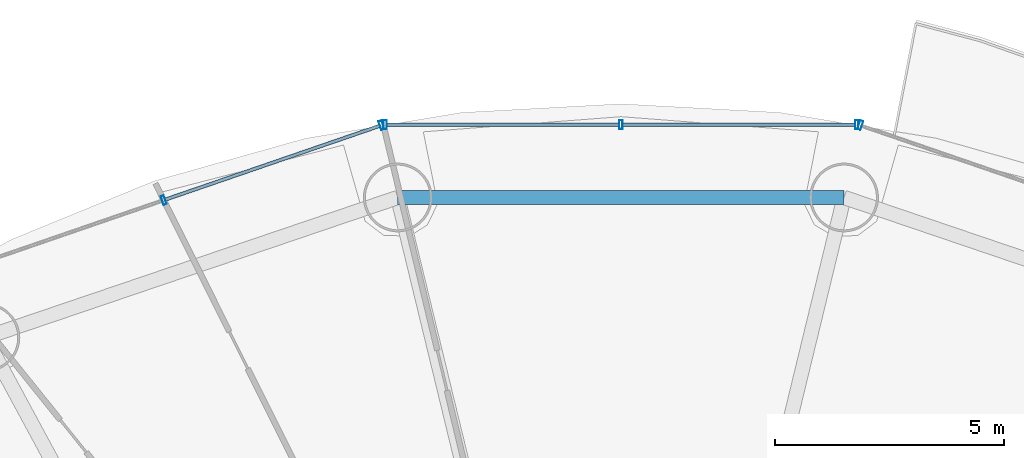
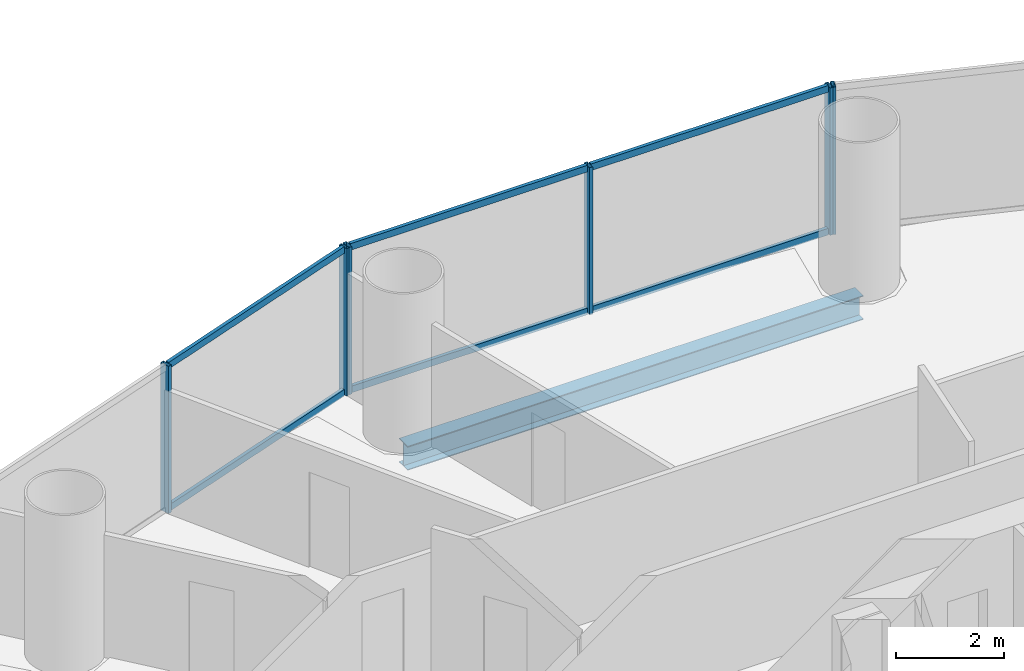
# One storey, part 18 of 29: 12 members, 1 beam, 3 elements without a shape of their own.
"""IFC4 building model written with IfcOpenShell, lengths in metres."""

from ifc_helpers import new_model, si_unit, direction, frame, origin, origin_2d, place, context, subcontext, project, spatial, hollow_rectangle, i_section, extrude, source, transform, mapped, material, material_profile, profile_set, type_object, element, aggregate, save


model = new_model("IFC4")

# Units and contexts
model_context = context("Model", 3, precision=1e-05, world=origin(), true_north=direction((-0.2419218956, 0.970295726276)))
body_context = subcontext(model_context, "Body", "Model", "MODEL_VIEW")
ifc_project = project(units=[si_unit("LENGTHUNIT", "METRE"), si_unit("AREAUNIT", "SQUARE_METRE"), si_unit("VOLUMEUNIT", "CUBIC_METRE"), si_unit("PLANEANGLEUNIT", "RADIAN"), si_unit("MASSUNIT", "GRAM", prefix="KILO")], contexts=[model_context])

# Site, building, storey
site_placement = place(None, origin())
site = spatial("IfcSite", under=ifc_project, at=site_placement, CompositionType="ELEMENT")
building_placement = place(site_placement, origin())
building = spatial("IfcBuilding", under=site, at=building_placement, Name="Cobrevalo Terracotta Tower", CompositionType="ELEMENT")
storey_placement = place(building_placement, frame((0.0, 0.0, 119.39990234375)))
storey = spatial("IfcBuildingStorey", under=building, at=storey_placement, Name="L31", CompositionType="ELEMENT", Elevation=119.39990234375)

# Beam
ifc_material_1 = material(Name="Steel S355", Category="steel")
ifc_material_profile_1 = material_profile(ifc_material_1, i_section(OverallWidth=0.31201171875, OverallDepth=0.54296875, WebThickness=0.0126953125, FlangeThickness=0.020263671875, at=origin_2d()), Name="W 530x150")
ifc_profile_set_1 = profile_set([ifc_material_profile_1], Name="Steel S355")
beam_type = type_object("IfcBeamType", Name="Structural Spandrel W 530x150 (Steel S355)", PredefinedType="SPANDREL", material=ifc_profile_set_1)
beam_placement = place(storey_placement, frame((42.867431640625, 46.857177734375, -0.54638671875), z_axis=(-1.0, 0.0, 0.0), x_axis=(0.0, -1.0, 0.0)))
element("IfcBeam", 1, at=beam_placement, inside=storey, type_object=beam_type, Name="L31 perimeter ring spandrel 04", PredefinedType="SPANDREL", context=body_context, shape_type="SweptSolid", body=[
    extrude(i_section(OverallWidth=0.31201171875, OverallDepth=0.54296875, WebThickness=0.0126953125, FlangeThickness=0.020263671875, at=origin_2d()), origin(), (0.0, 0.0, 1.0), 9.73486328125),
])

# Curtain wall, members
ifc_material_2 = material(Name="Anodized aluminium", Category="aluminium")
curtain_wall_type = type_object("IfcCurtainWallType", Name="Lower-tower unitised acoustic low-E curtain wall CW-U1", PredefinedType="NOTDEFINED", material=ifc_material_2)
curtain_wall_1_placement = place(storey_placement, origin())
curtain_wall_1 = element("IfcCurtainWall", 2, at=curtain_wall_1_placement, inside=storey, type_object=curtain_wall_type, Name="L31 curtain wall CW-L31-S05", PredefinedType="NOTDEFINED")
ifc_material_profile_2 = material_profile(ifc_material_2, hollow_rectangle(XDim=0.074951171875, YDim=0.14990234375, WallThickness=0.00439453125, at=origin_2d()), Name="CWT 75x150")
ifc_profile_set_2 = profile_set([ifc_material_profile_2], Name="Anodized aluminium")
member_type_1 = type_object("IfcMemberType", Name="Tower unitised aluminium transom 75x150", PredefinedType="USERDEFINED", material=ifc_profile_set_2)
shared_shape_1 = source(origin(), body_context, "Body", "SweptSolid", [
    extrude(hollow_rectangle(XDim=0.074951171875, YDim=0.14990234375, WallThickness=0.00439453125, at=origin_2d()), origin(), (0.0, 0.0, 1.0), 4.944580078125),
])
member_1_placement = place(storey_placement, frame((32.74072265625, 48.419921875, 0.050048828125), z_axis=(-0.945597859971, -0.32533780478, 0.0), x_axis=(0.32533780478, -0.945597859971, 0.0)))
member_1 = element("IfcMember", 3, at=member_1_placement, type_object=member_type_1, Name="CW-L31-S05 transom B01-T1", ObjectType="TRANSOM", PredefinedType="USERDEFINED", context=body_context, shape_type="MappedRepresentation", body=[
    mapped(shared_shape_1, transform((0.0, 0.0, 0.0), scale=1.0)),
])
member_2_placement = place(storey_placement, frame((32.74072265625, 48.419921875, 3.275146484375), z_axis=(-0.945597859971, -0.32533780478, 0.0), x_axis=(0.32533780478, -0.945597859971, 0.0)))
member_2 = element("IfcMember", 4, at=member_2_placement, type_object=member_type_1, Name="CW-L31-S05 transom B01-T2", ObjectType="TRANSOM", PredefinedType="USERDEFINED", context=body_context, shape_type="MappedRepresentation", body=[
    mapped(shared_shape_1, transform((0.0, 0.0, 0.0), scale=1.0)),
])

curtain_wall_2_placement = place(storey_placement, origin())
curtain_wall_2 = element("IfcCurtainWall", 5, at=curtain_wall_2_placement, inside=storey, type_object=curtain_wall_type, Name="L31 curtain wall CW-L31-S04", PredefinedType="NOTDEFINED")
shared_shape_2 = source(origin(), body_context, "Body", "SweptSolid", [
    extrude(hollow_rectangle(XDim=0.074951171875, YDim=0.14990234375, WallThickness=0.00439453125, at=origin_2d()), origin(), (0.0, 0.0, 1.0), 5.0634765625),
])
member_3_placement = place(storey_placement, frame((43.103515625, 48.446044921875, 0.050048828125), z_axis=(-1.0, 0.0, 0.0), x_axis=(0.0, -1.0, 0.0)))
member_3 = element("IfcMember", 6, at=member_3_placement, type_object=member_type_1, Name="CW-L31-S04 transom B01-T1", ObjectType="TRANSOM", PredefinedType="USERDEFINED", context=body_context, shape_type="MappedRepresentation", body=[
    mapped(shared_shape_2, transform((0.0, 0.0, 0.0), scale=1.0)),
])
member_4_placement = place(storey_placement, frame((43.103515625, 48.446044921875, 3.275146484375), z_axis=(-1.0, 0.0, 0.0), x_axis=(0.0, -1.0, 0.0)))
member_4 = element("IfcMember", 7, at=member_4_placement, type_object=member_type_1, Name="CW-L31-S04 transom B01-T2", ObjectType="TRANSOM", PredefinedType="USERDEFINED", context=body_context, shape_type="MappedRepresentation", body=[
    mapped(shared_shape_2, transform((0.0, 0.0, 0.0), scale=1.0)),
])
member_5_placement = place(storey_placement, frame((37.9599609375, 48.446044921875, 0.050048828125), z_axis=(-1.0, 0.0, 0.0), x_axis=(0.0, -1.0, 0.0)))
member_5 = element("IfcMember", 8, at=member_5_placement, type_object=member_type_1, Name="CW-L31-S04 transom B02-T1", ObjectType="TRANSOM", PredefinedType="USERDEFINED", context=body_context, shape_type="MappedRepresentation", body=[
    mapped(shared_shape_2, transform((0.0, 0.0, 0.0), scale=1.0)),
])
member_6_placement = place(storey_placement, frame((37.9599609375, 48.446044921875, 3.275146484375), z_axis=(-1.0, 0.0, 0.0), x_axis=(0.0, -1.0, 0.0)))
member_6 = element("IfcMember", 9, at=member_6_placement, type_object=member_type_1, Name="CW-L31-S04 transom B02-T2", ObjectType="TRANSOM", PredefinedType="USERDEFINED", context=body_context, shape_type="MappedRepresentation", body=[
    mapped(shared_shape_2, transform((0.0, 0.0, 0.0), scale=1.0)),
])

# Curtain wall, member
curtain_wall_3_placement = place(storey_placement, origin())
curtain_wall_3 = element("IfcCurtainWall", 10, at=curtain_wall_3_placement, inside=storey, type_object=curtain_wall_type, Name="L31 curtain wall CW-L31-S03", PredefinedType="NOTDEFINED")
ifc_material_profile_3 = material_profile(ifc_material_2, hollow_rectangle(XDim=0.074951171875, YDim=0.199951171875, WallThickness=0.0048828125, at=origin_2d()), Name="CWM 75x200")
ifc_profile_set_3 = profile_set([ifc_material_profile_3], Name="Anodized aluminium")
member_type_2 = type_object("IfcMemberType", Name="Lower/mid tower unitised mullion 75x200", PredefinedType="MULLION", material=ifc_profile_set_3)
shared_shape_3 = source(origin(), body_context, "Body", "SweptSolid", [
    extrude(hollow_rectangle(XDim=0.074951171875, YDim=0.199951171875, WallThickness=0.0048828125, at=origin_2d()), origin(), (0.0, 0.0, 1.0), 3.3251953125),
])
member_7_placement = place(storey_placement, frame((43.221435546875, 48.432861328125, 0.0), z_axis=(0.0, 0.0, 1.0), x_axis=(-0.94559809868, 0.325337110968, 0.0)))
member_7 = element("IfcMember", 11, at=member_7_placement, type_object=member_type_2, Name="CW-L31-S03 vertical mullion 03", PredefinedType="MULLION", context=body_context, shape_type="MappedRepresentation", body=[
    mapped(shared_shape_3, transform((0.0, 0.0, 0.0), scale=1.0)),
])
aggregate(curtain_wall_3, [member_7])

# Member
member_8_placement = place(storey_placement, frame((43.1435546875, 48.446044921875, 0.0), z_axis=(0.0, 0.0, 1.0), x_axis=(-1.0, 0.0, 0.0)))
member_8 = element("IfcMember", 12, at=member_8_placement, type_object=member_type_2, Name="CW-L31-S04 vertical mullion 01", PredefinedType="MULLION", context=body_context, shape_type="MappedRepresentation", body=[
    mapped(shared_shape_3, transform((0.0, 0.0, 0.0), scale=1.0)),
])

member_9_placement = place(storey_placement, frame((38.0, 48.446044921875, 0.0), z_axis=(0.0, 0.0, 1.0), x_axis=(-1.0, 0.0, 0.0)))
member_9 = element("IfcMember", 13, at=member_9_placement, type_object=member_type_2, Name="CW-L31-S04 vertical mullion 02", PredefinedType="MULLION", context=body_context, shape_type="MappedRepresentation", body=[
    mapped(shared_shape_3, transform((0.0, 0.0, 0.0), scale=1.0)),
])

member_10_placement = place(storey_placement, frame((32.8564453125, 48.446044921875, 0.0), z_axis=(0.0, 0.0, 1.0), x_axis=(-1.0, 0.0, 0.0)))
member_10 = element("IfcMember", 14, at=member_10_placement, type_object=member_type_2, Name="CW-L31-S04 vertical mullion 03", PredefinedType="MULLION", context=body_context, shape_type="MappedRepresentation", body=[
    mapped(shared_shape_3, transform((0.0, 0.0, 0.0), scale=1.0)),
])

aggregate(curtain_wall_2, [member_8, member_9, member_10, member_3, member_4, member_5, member_6])

member_11_placement = place(storey_placement, frame((32.778564453125, 48.432861328125, 0.0), z_axis=(0.0, 0.0, 1.0), x_axis=(-0.94559809868, -0.325337110968, 0.0)))
member_11 = element("IfcMember", 15, at=member_11_placement, type_object=member_type_2, Name="CW-L31-S05 vertical mullion 01", PredefinedType="MULLION", context=body_context, shape_type="MappedRepresentation", body=[
    mapped(shared_shape_3, transform((0.0, 0.0, 0.0), scale=1.0)),
])

member_12_placement = place(storey_placement, frame((28.027587890625, 46.79833984375, 0.0), z_axis=(0.0, 0.0, 1.0), x_axis=(-0.94559809868, -0.325337110968, 0.0)))
member_12 = element("IfcMember", 16, at=member_12_placement, type_object=member_type_2, Name="CW-L31-S05 vertical mullion 02", PredefinedType="MULLION", context=body_context, shape_type="MappedRepresentation", body=[
    mapped(shared_shape_3, transform((0.0, 0.0, 0.0), scale=1.0)),
])

aggregate(curtain_wall_1, [member_11, member_12, member_1, member_2])

save(model, "model.ifc")
